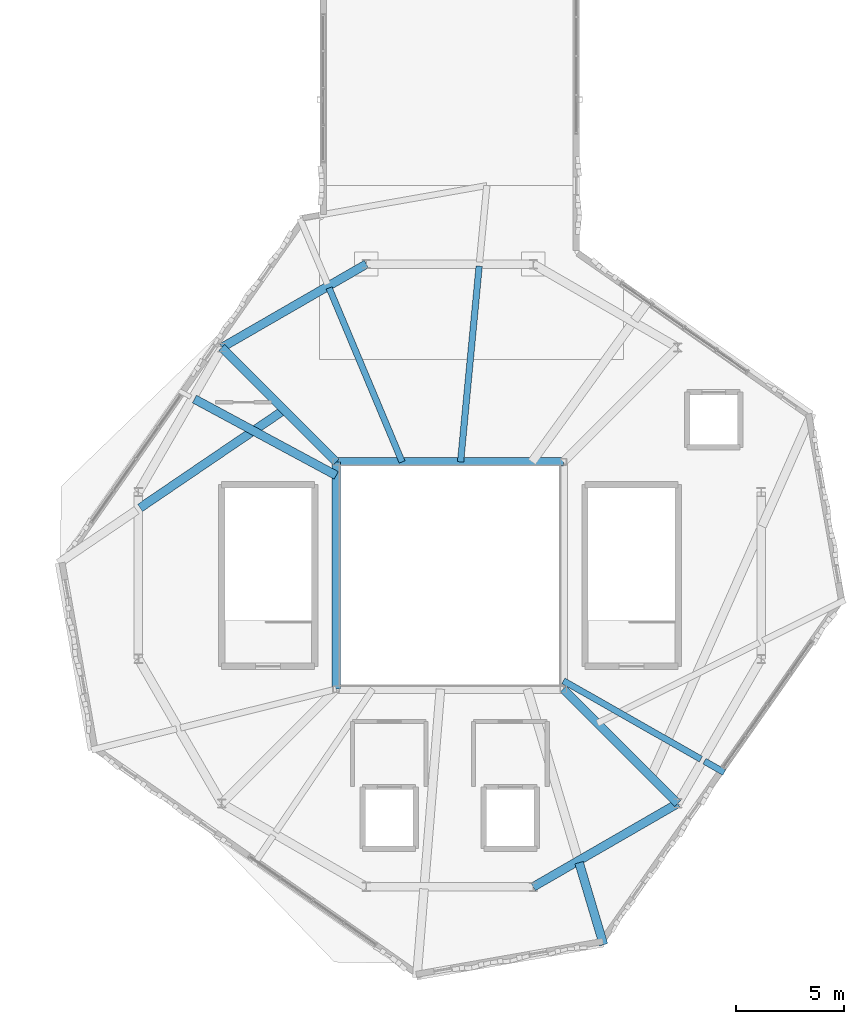
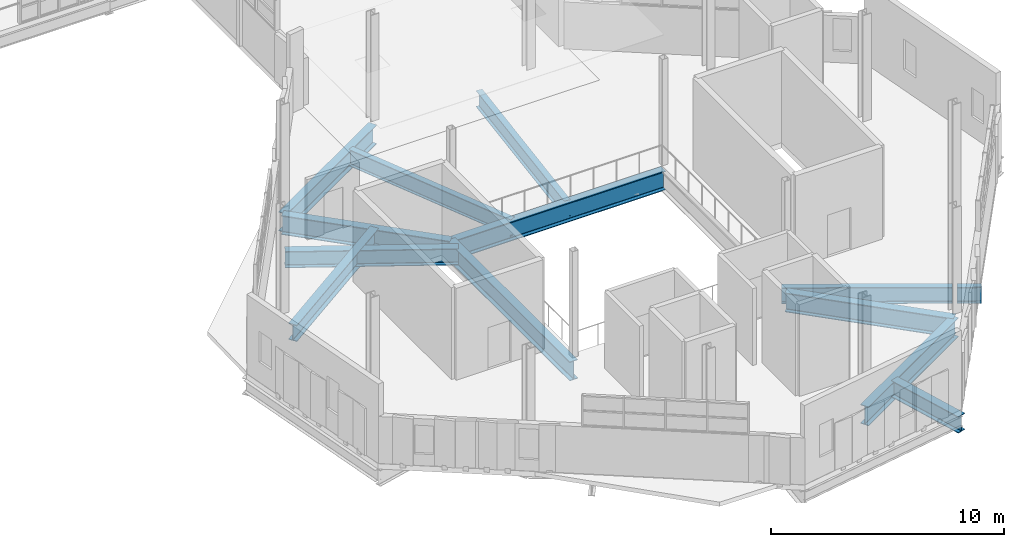
# One storey, part 8 of 36: 13 beams.
"""IFC4 building model written with IfcOpenShell, lengths in metres."""

from ifc_helpers import new_model, si_unit, direction, frame, origin, origin_2d, place, context, subcontext, project, spatial, i_section, extrude, material, material_profile, profile_set, type_object, element, save


model = new_model("IFC4")

# Units and contexts
model_context = context("Model", 3, precision=1e-05, world=origin(), true_north=direction((0.0, 1.0)))
body_context = subcontext(model_context, "Body", "Model", "MODEL_VIEW")
ifc_project = project(units=[si_unit("LENGTHUNIT", "METRE"), si_unit("AREAUNIT", "SQUARE_METRE"), si_unit("VOLUMEUNIT", "CUBIC_METRE"), si_unit("PLANEANGLEUNIT", "RADIAN"), si_unit("MASSUNIT", "GRAM", prefix="KILO"), si_unit("THERMODYNAMICTEMPERATUREUNIT", "KELVIN"), si_unit("POWERUNIT", "WATT")], contexts=[model_context])

# Site, building, storey
site_placement = place(None, origin())
site = spatial("IfcSite", under=ifc_project, at=site_placement, CompositionType="ELEMENT")
building_placement = place(site_placement, origin())
building = spatial("IfcBuilding", under=site, at=building_placement, Name="Zelmaris Science Centre", CompositionType="ELEMENT")
storey_placement = place(building_placement, frame((0.0, 0.0, 25.199951171875)))
storey = spatial("IfcBuildingStorey", under=building, at=storey_placement, Name="L05", CompositionType="ELEMENT", Elevation=25.199951171875)

# Beams
ifc_material = material(Name="Steel ASTM A992 Grade 50", Category="steel")
ifc_material_profile_1 = material_profile(ifc_material, i_section(OverallWidth=0.40087890625, OverallDepth=0.85595703125, WebThickness=0.018310546875, FlangeThickness=0.029296875, FilletRadius=0.02001953125, at=origin_2d()), Name="W33X201")
ifc_profile_set_1 = profile_set([ifc_material_profile_1], Name="Steel ASTM A992 Grade 50")
beam_type_1 = type_object("IfcBeamType", Name="Beam G-05 W33X201", PredefinedType="BEAM", material=ifc_profile_set_1)
beam_1_placement = place(storey_placement, frame((75.75, 40.626220703125, -0.7080078125), z_axis=(-0.880354127217, 0.474316993889, 0.0), x_axis=(-0.474316993889, -0.880354127217, 0.0)))
element("IfcBeam", 1, at=beam_1_placement, inside=storey, type_object=beam_type_1, Name="L05 Overhang back-span girder 8", PredefinedType="BEAM", context=body_context, shape_type="SweptSolid", body=[
    extrude(i_section(OverallWidth=0.40087890625, OverallDepth=0.85595703125, WebThickness=0.018310546875, FlangeThickness=0.029296875, FilletRadius=0.02001953125, at=origin_2d()), origin(), (0.0, 0.0, 1.0), 7.44091796875),
])
ifc_material_profile_2 = material_profile(ifc_material, i_section(OverallWidth=0.294921875, OverallDepth=0.85107421875, WebThickness=0.01611328125, FlangeThickness=0.02685546875, FilletRadius=0.02001953125, at=origin_2d()), Name="W33X152")
ifc_profile_set_2 = profile_set([ifc_material_profile_2], Name="Steel ASTM A992 Grade 50")
beam_type_2 = type_object("IfcBeamType", Name="Beam G-06 W33X152", PredefinedType="BEAM", material=ifc_profile_set_2)
beam_2_placement = place(storey_placement, frame((86.25, 31.131591796875, -0.70556640625), z_axis=(0.868940447209, -0.494916658846, 0.0), x_axis=(0.494916658846, 0.868940447209, 0.0)))
element("IfcBeam", 2, at=beam_2_placement, inside=storey, type_object=beam_type_2, Name="L05 Overhang back-span girder 2", PredefinedType="BEAM", context=body_context, shape_type="SweptSolid", body=[
    extrude(i_section(OverallWidth=0.294921875, OverallDepth=0.85107421875, WebThickness=0.01611328125, FlangeThickness=0.02685546875, FilletRadius=0.02001953125, at=origin_2d()), origin(), (0.0, 0.0, 1.0), 7.316650390625),
])
beam_3_placement = place(storey_placement, frame((92.77294921875, 27.41650390625, -0.70556640625), z_axis=(0.869041707577, -0.494738830588, 0.0), x_axis=(0.494738830588, 0.869041707577, 0.0)))
element("IfcBeam", 3, at=beam_3_placement, inside=storey, type_object=beam_type_2, Name="L05 Radial overhang girder 2", PredefinedType="BEAM", context=body_context, shape_type="SweptSolid", body=[
    extrude(i_section(OverallWidth=0.294921875, OverallDepth=0.85107421875, WebThickness=0.01611328125, FlangeThickness=0.02685546875, FilletRadius=0.02001953125, at=origin_2d()), origin(), (0.0, 0.0, 1.0), 1.052001953125),
])
beam_4_placement = place(storey_placement, frame((81.49853515625, 41.25, -0.70556640625), z_axis=(0.094504839495, 0.995524402168, 0.0), x_axis=(-0.995524402168, 0.094504839495, 0.0)))
element("IfcBeam", 4, at=beam_4_placement, inside=storey, type_object=beam_type_2, Name="L05 Overhang back-span girder 6", PredefinedType="BEAM", context=body_context, shape_type="SweptSolid", body=[
    extrude(i_section(OverallWidth=0.294921875, OverallDepth=0.85107421875, WebThickness=0.01611328125, FlangeThickness=0.02685546875, FilletRadius=0.02001953125, at=origin_2d()), origin(), (0.0, 0.0, 1.0), 9.08837890625),
])
ifc_material_profile_3 = material_profile(ifc_material, i_section(OverallWidth=0.40087890625, OverallDepth=1.0009765625, WebThickness=0.01904296875, FlangeThickness=0.0361328125, FilletRadius=0.02490234375, at=origin_2d()), Name="W40X249")
ifc_profile_set_3 = profile_set([ifc_material_profile_3], Name="Steel ASTM A992 Grade 50")
beam_type_3 = type_object("IfcBeamType", Name="Beam G-22 W40X249", PredefinedType="BEAM", material=ifc_profile_set_3)
for number, where, z_axis, x_axis, name in (
    (5, (77.1435546875, 50.392333984375, -0.780517578125), (-0.866021648359, -0.500006504531, 0.0), (0.500006504531, -0.866021648359, 0.0), "L05 Exhibition inner ring girder 4"),
    (6, (84.8564453125, 21.607666015625, -0.780517578125), (0.866021648359, 0.500006504531, 0.0), (-0.500006504531, 0.866021648359, 0.0), "L05 Exhibition inner ring girder 10"),
):
    element("IfcBeam", number, at=place(storey_placement, frame(where, z_axis=z_axis, x_axis=x_axis)), inside=storey, type_object=beam_type_3, Name=name, PredefinedType="BEAM", context=body_context, shape_type="SweptSolid", body=[
        extrude(i_section(OverallWidth=0.40087890625, OverallDepth=1.0009765625, WebThickness=0.01904296875, FlangeThickness=0.0361328125, FilletRadius=0.02490234375, at=origin_2d()), origin(), (0.0, 0.0, 1.0), 7.712890625),
    ])
for number, where, z_axis, x_axis, name in (
    (7, (86.25, 41.25, -0.780517578125), (-1.0, 0.0, 0.0), (0.0, -1.0, 0.0), "L05 Atrium framing girder 3"),
    (8, (75.75, 41.25, -0.780517578125), (0.0, -1.0, 0.0), (1.0, 0.0, 0.0), "L05 Atrium framing girder 4"),
):
    element("IfcBeam", number, at=place(storey_placement, frame(where, z_axis=z_axis, x_axis=x_axis)), inside=storey, type_object=beam_type_3, Name=name, PredefinedType="BEAM", context=body_context, shape_type="SweptSolid", body=[
        extrude(i_section(OverallWidth=0.40087890625, OverallDepth=1.0009765625, WebThickness=0.01904296875, FlangeThickness=0.0361328125, FilletRadius=0.02490234375, at=origin_2d()), origin(), (0.0, 0.0, 1.0), 10.5),
    ])
for number, where, z_axis, x_axis, name in (
    (9, (86.25, 30.75, -0.780517578125), (0.707106781187, -0.707106781187, 0.0), (0.707106781187, 0.707106781187, 0.0), "L05 Atrium diagonal header girder 2"),
    (10, (75.75, 41.25, -0.780517578125), (-0.707106781187, 0.707106781187, 0.0), (-0.707106781187, -0.707106781187, 0.0), "L05 Atrium diagonal header girder 4"),
):
    element("IfcBeam", number, at=place(storey_placement, frame(where, z_axis=z_axis, x_axis=x_axis)), inside=storey, type_object=beam_type_3, Name=name, PredefinedType="BEAM", context=body_context, shape_type="SweptSolid", body=[
        extrude(i_section(OverallWidth=0.40087890625, OverallDepth=1.0009765625, WebThickness=0.01904296875, FlangeThickness=0.0361328125, FilletRadius=0.02490234375, at=origin_2d()), origin(), (0.0, 0.0, 1.0), 7.475341796875),
    ])
ifc_material_profile_4 = material_profile(ifc_material, i_section(OverallWidth=0.404052734375, OverallDepth=0.861083984375, WebThickness=0.019775390625, FlangeThickness=0.032470703125, FilletRadius=0.02001953125, at=origin_2d()), Name="W33X221")
ifc_profile_set_4 = profile_set([ifc_material_profile_4], Name="Steel ASTM A992 Grade 50")
beam_type_4 = type_object("IfcBeamType", Name="Beam G-28 W33X221", PredefinedType="BEAM", material=ifc_profile_set_4)
beam_5_placement = place(storey_placement, frame((86.97705078125, 22.725341796875, -0.71044921875), z_axis=(0.28581505198, -0.958284799035, 0.0), x_axis=(0.958284799035, 0.28581505198, 0.0)))
element("IfcBeam", 11, at=beam_5_placement, inside=storey, type_object=beam_type_4, Name="L05 Radial overhang girder 1", PredefinedType="BEAM", context=body_context, shape_type="SweptSolid", body=[
    extrude(i_section(OverallWidth=0.404052734375, OverallDepth=0.861083984375, WebThickness=0.019775390625, FlangeThickness=0.032470703125, FilletRadius=0.02001953125, at=origin_2d()), origin(), (0.0, 0.0, 1.0), 3.9609375),
])
beam_6_placement = place(storey_placement, frame((73.346435546875, 43.653564453125, -0.71044921875), z_axis=(-0.827058993396, -0.562115131839, 0.0), x_axis=(0.562115131839, -0.827058993396, 0.0)))
element("IfcBeam", 12, at=beam_6_placement, inside=storey, type_object=beam_type_4, Name="L05 Overhang back-span girder 9", PredefinedType="BEAM", context=body_context, shape_type="SweptSolid", body=[
    extrude(i_section(OverallWidth=0.404052734375, OverallDepth=0.861083984375, WebThickness=0.019775390625, FlangeThickness=0.032470703125, FilletRadius=0.02001953125, at=origin_2d()), origin(), (0.0, 0.0, 1.0), 8.052734375),
])
ifc_material_profile_5 = material_profile(ifc_material, i_section(OverallWidth=0.2919921875, OverallDepth=0.85888671875, WebThickness=0.01708984375, FlangeThickness=0.031005859375, FilletRadius=0.02001953125, at=origin_2d()), Name="W33X169")
ifc_profile_set_5 = profile_set([ifc_material_profile_5], Name="Steel ASTM A992 Grade 50")
beam_type_5 = type_object("IfcBeamType", Name="Beam G-29 W33X169", PredefinedType="BEAM", material=ifc_profile_set_5)
beam_7_placement = place(storey_placement, frame((78.797119140625, 41.25, -0.70947265625), z_axis=(-0.386950188427, 0.922100619063, 0.0), x_axis=(-0.922100619063, -0.386950188427, 0.0)))
element("IfcBeam", 13, at=beam_7_placement, inside=storey, type_object=beam_type_5, Name="L05 Overhang back-span girder 7", PredefinedType="BEAM", context=body_context, shape_type="SweptSolid", body=[
    extrude(i_section(OverallWidth=0.2919921875, OverallDepth=0.85888671875, WebThickness=0.01708984375, FlangeThickness=0.031005859375, FilletRadius=0.02001953125, at=origin_2d()), origin(), (0.0, 0.0, 1.0), 8.719482421875),
])

save(model, "model.ifc")
